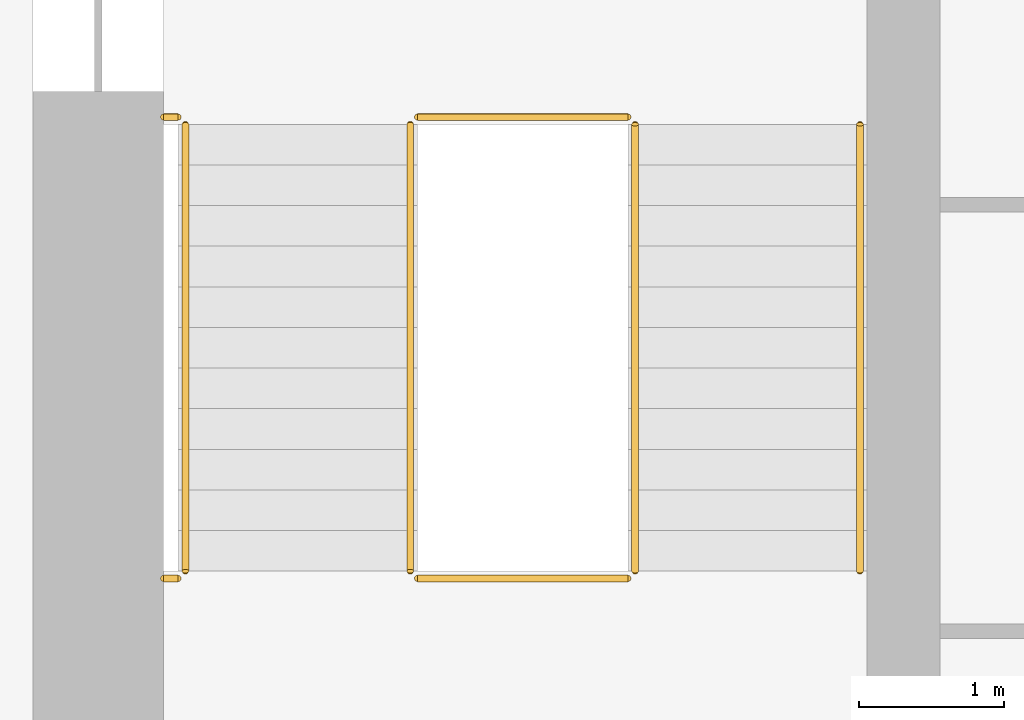
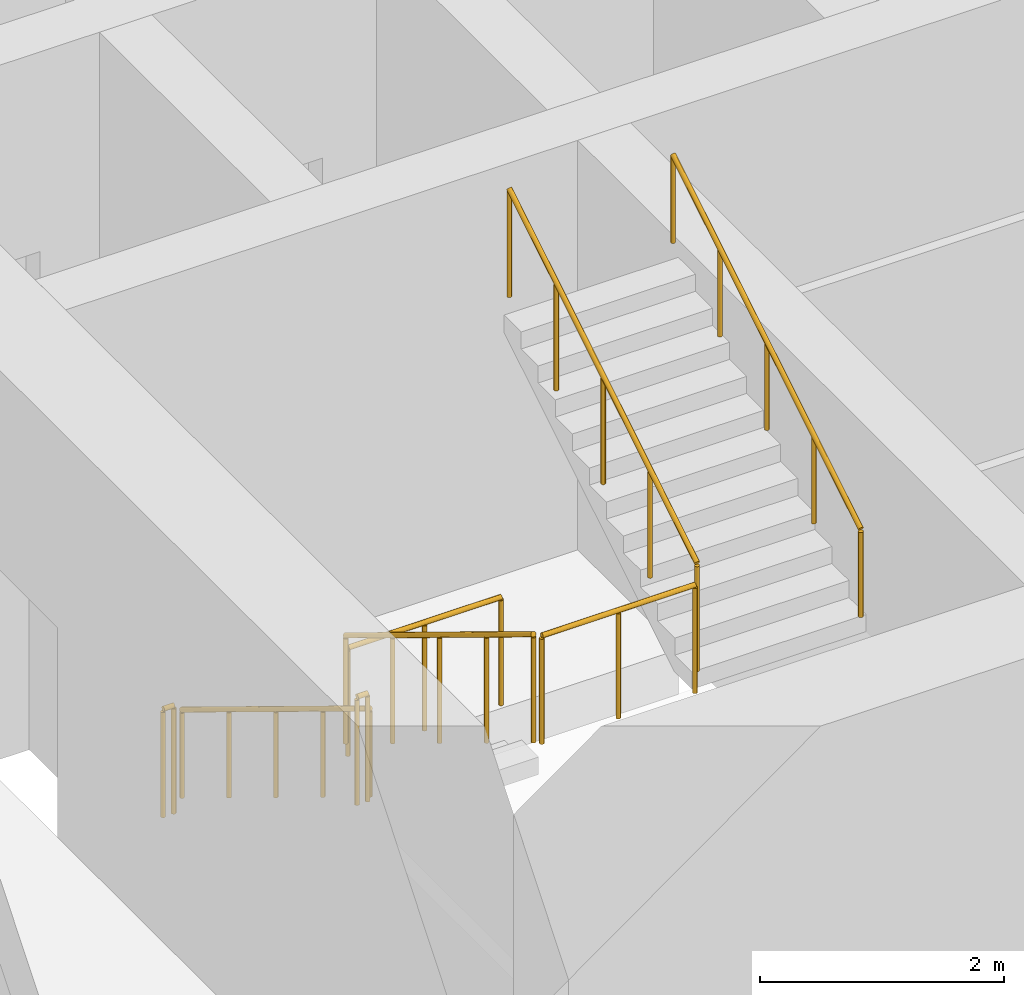
# One storey, part 11 of 19: 8 railings.
"""IFC4 building model written with IfcOpenShell, lengths in metres."""

import ifcopenshell
import ifcopenshell.guid

model = None  # the IFC model being written
_history = None  # IfcOwnerHistory: only IFC2X3 demands one
_inside = {}  # id of a spatial element -> (the spatial element, [elements in it])
_under = {}  # id of a project, library or spatial element -> (it, [spatial elements below it])
_declared = {}  # id of a project -> (the project, [libraries it declares])
_typed = {}  # id of a type object -> (the type object, [elements of that type])
_made_of = {}  # id of a material, layer set ... -> (it, [elements and type objects made of it])


def new_model(schema):
    """Start an empty IFC model of exactly this schema.

    Asked for "IFC4X3", IfcOpenShell would pick the latest addendum, in which some entities
    have other attributes; the version numbers below select the first issue.
    IFC2X3 requires an IfcOwnerHistory on every rooted entity: one is made here for all.
    """
    global model, _history
    if schema == "IFC4X3":
        model = ifcopenshell.file(schema_version=(4, 3, 0, 0))
    else:
        model = ifcopenshell.file(schema=schema)
    _inside.clear()
    _under.clear()
    _declared.clear()
    _typed.clear()
    _made_of.clear()
    _history = None
    if model.schema == "IFC2X3":
        org = make("IfcOrganization", Name="unknown")
        user = make(
            "IfcPersonAndOrganization",
            ThePerson=make("IfcPerson", FamilyName="unknown"),
            TheOrganization=org,
        )
        app = make(
            "IfcApplication",
            ApplicationDeveloper=org,
            Version="unknown",
            ApplicationFullName="unknown",
            ApplicationIdentifier="unknown",
        )
        _history = make(
            "IfcOwnerHistory",
            OwningUser=user,
            OwningApplication=app,
            ChangeAction="ADDED",
            CreationDate=0,
        )
    return model


def make(cls, **values):
    """One entity of the class cls with the attributes given. An attribute that is None is left unset."""
    return model.create_entity(
        cls, **{name: value for name, value in values.items() if value is not None}
    )


def rooted(cls, **values):
    """An entity with a GlobalId (a new one), such as an element, a storey or a relation."""
    return make(cls, GlobalId=ifcopenshell.guid.new(), OwnerHistory=_history, **values)


def si_unit(unit_type, name, prefix=None):
    """IfcSIUnit, for example si_unit("LENGTHUNIT", "METRE", prefix="MILLI")."""
    return make("IfcSIUnit", UnitType=unit_type, Prefix=prefix, Name=name)


def assignment(units):
    """IfcUnitAssignment: the units of a project."""
    return None if units is None else make("IfcUnitAssignment", Units=units)


def point(xyz):
    """IfcCartesianPoint."""
    return None if xyz is None else make("IfcCartesianPoint", Coordinates=xyz)


def direction(xyz):
    """IfcDirection."""
    return None if xyz is None else make("IfcDirection", DirectionRatios=xyz)


def frame(location, z_axis=None, x_axis=None):
    """IfcAxis2Placement3D, a coordinate frame: its origin and axes. An axis left out is left unset."""
    return make(
        "IfcAxis2Placement3D",
        Location=point(location),
        Axis=direction(z_axis),
        RefDirection=direction(x_axis),
    )


def frame_2d(location, x_axis=None):
    """IfcAxis2Placement2D, a coordinate frame in the plane: its origin and x axis."""
    return make(
        "IfcAxis2Placement2D", Location=point(location), RefDirection=direction(x_axis)
    )


def origin():
    """The frame at (0, 0, 0) with its axes left unset."""
    return frame((0.0, 0.0, 0.0))


def origin_2d():
    """The frame at (0, 0) in the plane with its x axis left unset."""
    return frame_2d((0.0, 0.0))


def place(relative_to, where):
    """IfcLocalPlacement: puts the frame where relative to a parent placement (None: the world)."""
    return make(
        "IfcLocalPlacement", PlacementRelTo=relative_to, RelativePlacement=where
    )


def context(
    kind, dimensions, precision=None, world=None, true_north=None, identifier=None
):
    """IfcGeometricRepresentationContext, for example the 3D "Model" context."""
    return make(
        "IfcGeometricRepresentationContext",
        ContextIdentifier=identifier,
        ContextType=kind,
        CoordinateSpaceDimension=dimensions,
        Precision=precision,
        WorldCoordinateSystem=world,
        TrueNorth=true_north,
    )


def subcontext(parent, identifier, kind, view, scale=None):
    """IfcGeometricRepresentationSubContext, for example "Body" below "Model"."""
    return make(
        "IfcGeometricRepresentationSubContext",
        ContextIdentifier=identifier,
        ContextType=kind,
        ParentContext=parent,
        TargetScale=scale,
        TargetView=view,
    )


def project(units=None, contexts=None):
    """IfcProject with its units and contexts."""
    return rooted(
        "IfcProject",
        Name="project",
        RepresentationContexts=contexts,
        UnitsInContext=assignment(units),
    )


def spatial(cls, under=None, at=None, **own):
    """A site, building, storey or space (cls), placed at a placement, below another one or the project."""
    s = rooted(cls, ObjectPlacement=at, **own)
    if under is not None:
        _under.setdefault(under.id(), (under, []))[1].append(s)
    return s


def profile(cls, at=None, kind="AREA", **sizes):
    """A parametric profile (cls). Its sizes go by their IFC names, for example OverallWidth=200.0."""
    return make(cls, ProfileType=kind, Position=at, **sizes)


def circle(**sizes):
    """IfcCircleProfileDef."""
    return profile("IfcCircleProfileDef", **sizes)


def extrude(swept, where, along, depth):
    """IfcExtrudedAreaSolid: the profile swept, set in the frame where, extruded along a direction by depth."""
    return make(
        "IfcExtrudedAreaSolid",
        SweptArea=swept,
        Position=where,
        ExtrudedDirection=direction(along),
        Depth=depth,
    )


def shape(context_of_items, identifier, shape_type, items):
    """IfcShapeRepresentation: the items that make up one representation, for example the "Body"."""
    return make(
        "IfcShapeRepresentation",
        ContextOfItems=context_of_items,
        RepresentationIdentifier=identifier,
        RepresentationType=shape_type,
        Items=items,
    )


def material(Name=None, Category=None):
    """IfcMaterial."""
    return make("IfcMaterial", Name=Name, Category=Category)


def made_of(thing, what):
    """Note that an element or type object is made of a material, layer set ...; save() writes the relation."""
    if what is not None:
        _made_of.setdefault(what.id(), (what, []))[1].append(thing)
    return thing


def type_object(cls, material=None, **own):
    """A type object (cls), such as IfcWallType, which elements share."""
    return made_of(rooted(cls, **own), material)


def element(
    cls,
    number,
    at=None,
    inside=None,
    cuts=None,
    type_object=None,
    material=None,
    context=None,
    identifier="Body",
    shape_type=None,
    held_by="IfcProductDefinitionShape",
    body=None,
    shapes=None,
    **own,
):
    """One element of the class cls, such as IfcWall. Its Tag is "e" and its number.

    at: its placement. inside: the storey or other place that contains it. cuts: it is an
    opening in that element (IfcRelVoidsElement). A single representation is given by context,
    identifier, shape_type and body (its items); several are given by shapes. held_by: the class
    of the entity that holds the representations. save() writes the other relations.
    """
    e = rooted(cls, Tag="e%d" % number, ObjectPlacement=at, **own)
    if body is not None:
        shapes = [shape(context, identifier, shape_type, body)]
    if shapes is not None:
        e.Representation = make(held_by, Representations=shapes)
    if inside is not None:
        _inside.setdefault(inside.id(), (inside, []))[1].append(e)
    if cuts is not None:
        rooted(
            "IfcRelVoidsElement", RelatingBuildingElement=cuts, RelatedOpeningElement=e
        )
    if type_object is not None:
        _typed.setdefault(type_object.id(), (type_object, []))[1].append(e)
    return made_of(e, material)


def aggregate(whole, parts):
    """IfcRelAggregates: a whole, such as a stair, and the parts it consists of."""
    return rooted("IfcRelAggregates", RelatingObject=whole, RelatedObjects=parts)


def save(model, path):
    """Write the relations noted so far, then the file.

    IfcRelAggregates (storeys below a building ...), IfcRelContainedInSpatialStructure (elements
    in a storey), IfcRelDefinesByType, IfcRelAssociatesMaterial and IfcRelDeclares: one each for
    every whole, place, type object, material and project.
    """
    for whole, parts in _under.values():
        aggregate(whole, parts)
    for where, things in _inside.values():
        rooted(
            "IfcRelContainedInSpatialStructure",
            RelatedElements=things,
            RelatingStructure=where,
        )
    for kind, things in _typed.values():
        rooted("IfcRelDefinesByType", RelatedObjects=things, RelatingType=kind)
    for what, things in _made_of.values():
        rooted("IfcRelAssociatesMaterial", RelatedObjects=things, RelatingMaterial=what)
    for by, libraries in _declared.values():
        rooted("IfcRelDeclares", RelatingContext=by, RelatedDefinitions=libraries)
    model.write(path)


model = new_model("IFC4")

# Units and contexts
model_context = context("Model", 3, precision=1e-05, world=origin(), true_north=direction((0.0, 1.0)))
body_context = subcontext(model_context, "Body", "Model", "MODEL_VIEW")
ifc_project = project(units=[si_unit("LENGTHUNIT", "METRE"), si_unit("AREAUNIT", "SQUARE_METRE"), si_unit("VOLUMEUNIT", "CUBIC_METRE"), si_unit("PLANEANGLEUNIT", "RADIAN"), si_unit("MASSUNIT", "GRAM", prefix="KILO")], contexts=[model_context])

# Site, building, storey
site_placement = place(None, origin())
site = spatial("IfcSite", under=ifc_project, at=site_placement, CompositionType="ELEMENT")
building_placement = place(site_placement, origin())
building = spatial("IfcBuilding", under=site, at=building_placement, Name="Corbel Stack Research Tower", CompositionType="ELEMENT")
storey_placement = place(building_placement, frame((0.0, 0.0, 116.699951171875)))
storey = spatial("IfcBuildingStorey", under=building, at=storey_placement, Name="L26", CompositionType="ELEMENT", Elevation=116.699951171875)

# Railings
ifc_material_1 = material(Name="Steel S355", Category="steel")
railing_type_1 = type_object("IfcRailingType", Name="Stair guard 1100", PredefinedType="GUARDRAIL", material=ifc_material_1)
railing_1_placement = place(storey_placement, frame((-7.89990234375, -2.39990234375, 0.1708984375)))
element("IfcRailing", 1, at=railing_1_placement, inside=storey, type_object=railing_type_1, Name="L26 ST-W1 stair guard 1", PredefinedType="GUARDRAIL", context=body_context, shape_type="SweptSolid", body=[
    extrude(circle(Radius=0.02392578125, at=origin_2d()), frame((0.0, 0.0, 1.076171875), z_axis=(0.0, -0.853666305674, 0.52082035152), x_axis=(1.0, 0.0, 0.0)), (0.0, 0.0, 1.0), 3.608154296875),
    extrude(circle(Radius=0.02099609375, at=origin_2d()), origin(), (0.0, 0.0, 1.0), 1.052001953125),
    extrude(circle(Radius=0.02099609375, at=origin_2d()), frame((0.0, -0.77001953125, 0.4697265625)), (0.0, 0.0, 1.0), 1.052001953125),
    extrude(circle(Radius=0.02099609375, at=origin_2d()), frame((0.0, -1.5400390625, 0.939453125)), (0.0, 0.0, 1.0), 1.052001953125),
    extrude(circle(Radius=0.02099609375, at=origin_2d()), frame((0.0, -2.31005859375, 1.409423828125)), (0.0, 0.0, 1.0), 1.052001953125),
    extrude(circle(Radius=0.02099609375, at=origin_2d()), frame((0.0, -3.080078125, 1.879150390625)), (0.0, 0.0, 1.0), 1.052001953125),
])
railing_2_placement = place(storey_placement, frame((-7.85009765625, -5.530029296875, 2.050048828125)))
element("IfcRailing", 2, at=railing_2_placement, inside=storey, type_object=railing_type_1, Name="L26 ST-W1 stair guard 2", PredefinedType="GUARDRAIL", context=body_context, shape_type="SweptSolid", body=[
    extrude(circle(Radius=0.02392578125, at=origin_2d()), frame((0.0, 0.0, 1.076171875), z_axis=(1.0, 0.0, 0.0), x_axis=(0.0, 1.0, 0.0)), (0.0, 0.0, 1.0), 1.4501953125),
    extrude(circle(Radius=0.02099609375, at=origin_2d()), origin(), (0.0, 0.0, 1.0), 1.052001953125),
    extrude(circle(Radius=0.02099609375, at=origin_2d()), frame((0.72509765625, 0.0, 0.0)), (0.0, 0.0, 1.0), 1.052001953125),
    extrude(circle(Radius=0.02099609375, at=origin_2d()), frame((1.4501953125, 0.0, 0.0)), (0.0, 0.0, 1.0), 1.052001953125),
])
railing_3_placement = place(storey_placement, frame((-9.60009765625, -5.530029296875, 2.050048828125)))
element("IfcRailing", 3, at=railing_3_placement, inside=storey, type_object=railing_type_1, Name="L26 ST-W1 stair guard 3", PredefinedType="GUARDRAIL", context=body_context, shape_type="SweptSolid", body=[
    extrude(circle(Radius=0.02392578125, at=origin_2d()), frame((0.0, 0.0, 1.076171875), z_axis=(1.0, 0.0, 0.0), x_axis=(0.0, 1.0, 0.0)), (0.0, 0.0, 1.0), 0.10009765625),
    extrude(circle(Radius=0.02099609375, at=origin_2d()), origin(), (0.0, 0.0, 1.0), 1.052001953125),
    extrude(circle(Radius=0.02099609375, at=origin_2d()), frame((0.10009765625, 0.0, 0.0)), (0.0, 0.0, 1.0), 1.052001953125),
])
railing_4_placement = place(storey_placement, frame((-6.35009765625, -5.47998046875, 2.220947265625)))
element("IfcRailing", 4, at=railing_4_placement, inside=storey, type_object=railing_type_1, Name="L26 ST-W1 stair guard 4", PredefinedType="GUARDRAIL", context=body_context, shape_type="SweptSolid", body=[
    extrude(circle(Radius=0.02392578125, at=origin_2d()), frame((0.0, 0.0, 1.076171875), z_axis=(0.0, 0.853666305674, 0.52082035152), x_axis=(-1.0, 0.0, 0.0)), (0.0, 0.0, 1.0), 3.608154296875),
    extrude(circle(Radius=0.02099609375, at=origin_2d()), origin(), (0.0, 0.0, 1.0), 1.052001953125),
    extrude(circle(Radius=0.02099609375, at=origin_2d()), frame((0.0, 0.77001953125, 0.4697265625)), (0.0, 0.0, 1.0), 1.052001953125),
    extrude(circle(Radius=0.02099609375, at=origin_2d()), frame((0.0, 1.5400390625, 0.939453125)), (0.0, 0.0, 1.0), 1.052001953125),
    extrude(circle(Radius=0.02099609375, at=origin_2d()), frame((0.0, 2.31005859375, 1.409423828125)), (0.0, 0.0, 1.0), 1.052001953125),
    extrude(circle(Radius=0.02099609375, at=origin_2d()), frame((0.0, 3.080078125, 1.879150390625)), (0.0, 0.0, 1.0), 1.052001953125),
])
railing_5_placement = place(storey_placement, frame((-7.85009765625, -2.35009765625, 0.0)))
element("IfcRailing", 5, at=railing_5_placement, inside=storey, type_object=railing_type_1, Name="L26 ST-W1 stair guard 5", PredefinedType="GUARDRAIL", context=body_context, shape_type="SweptSolid", body=[
    extrude(circle(Radius=0.02392578125, at=origin_2d()), frame((0.0, 0.0, 1.076171875), z_axis=(1.0, 0.0, 0.0), x_axis=(0.0, 1.0, 0.0)), (0.0, 0.0, 1.0), 1.4501953125),
    extrude(circle(Radius=0.02099609375, at=origin_2d()), origin(), (0.0, 0.0, 1.0), 1.052001953125),
    extrude(circle(Radius=0.02099609375, at=origin_2d()), frame((0.72509765625, 0.0, 0.0)), (0.0, 0.0, 1.0), 1.052001953125),
    extrude(circle(Radius=0.02099609375, at=origin_2d()), frame((1.4501953125, 0.0, 0.0)), (0.0, 0.0, 1.0), 1.052001953125),
])
railing_6_placement = place(storey_placement, frame((-9.60009765625, -2.35009765625, 0.0)))
element("IfcRailing", 6, at=railing_6_placement, inside=storey, type_object=railing_type_1, Name="L26 ST-W1 stair guard 6", PredefinedType="GUARDRAIL", context=body_context, shape_type="SweptSolid", body=[
    extrude(circle(Radius=0.02392578125, at=origin_2d()), frame((0.0, 0.0, 1.076171875), z_axis=(1.0, 0.0, 0.0), x_axis=(0.0, 1.0, 0.0)), (0.0, 0.0, 1.0), 0.10009765625),
    extrude(circle(Radius=0.02099609375, at=origin_2d()), origin(), (0.0, 0.0, 1.0), 1.052001953125),
    extrude(circle(Radius=0.02099609375, at=origin_2d()), frame((0.10009765625, 0.0, 0.0)), (0.0, 0.0, 1.0), 1.052001953125),
])
ifc_material_2 = material(Name="Steel S355", Category="steel")
railing_type_2 = type_object("IfcRailingType", Name="Stair handrail 900", PredefinedType="HANDRAIL", material=ifc_material_2)
railing_7_placement = place(storey_placement, frame((-9.449951171875, -2.39990234375, 0.1708984375)))
element("IfcRailing", 7, at=railing_7_placement, inside=storey, type_object=railing_type_2, Name="L26 ST-W1 stair handrail 1", PredefinedType="HANDRAIL", context=body_context, shape_type="SweptSolid", body=[
    extrude(circle(Radius=0.02392578125, at=origin_2d()), frame((0.0, 0.0, 0.8759765625), z_axis=(0.0, -0.853666305674, 0.52082035152), x_axis=(1.0, 0.0, 0.0)), (0.0, 0.0, 1.0), 3.608154296875),
    extrude(circle(Radius=0.02099609375, at=origin_2d()), origin(), (0.0, 0.0, 1.0), 0.851806640625),
    extrude(circle(Radius=0.02099609375, at=origin_2d()), frame((0.0, -0.77001953125, 0.4697265625)), (0.0, 0.0, 1.0), 0.851806640625),
    extrude(circle(Radius=0.02099609375, at=origin_2d()), frame((0.0, -1.5400390625, 0.939453125)), (0.0, 0.0, 1.0), 0.851806640625),
    extrude(circle(Radius=0.02099609375, at=origin_2d()), frame((0.0, -2.31005859375, 1.409423828125)), (0.0, 0.0, 1.0), 0.851806640625),
    extrude(circle(Radius=0.02099609375, at=origin_2d()), frame((0.0, -3.080078125, 1.879150390625)), (0.0, 0.0, 1.0), 0.851806640625),
])
railing_8_placement = place(storey_placement, frame((-4.800048828125, -5.47998046875, 2.220947265625)))
element("IfcRailing", 8, at=railing_8_placement, inside=storey, type_object=railing_type_2, Name="L26 ST-W1 stair handrail 2", PredefinedType="HANDRAIL", context=body_context, shape_type="SweptSolid", body=[
    extrude(circle(Radius=0.02392578125, at=origin_2d()), frame((0.0, 0.0, 0.8759765625), z_axis=(0.0, 0.853666305674, 0.52082035152), x_axis=(-1.0, 0.0, 0.0)), (0.0, 0.0, 1.0), 3.608154296875),
    extrude(circle(Radius=0.02099609375, at=origin_2d()), origin(), (0.0, 0.0, 1.0), 0.851806640625),
    extrude(circle(Radius=0.02099609375, at=origin_2d()), frame((0.0, 0.77001953125, 0.4697265625)), (0.0, 0.0, 1.0), 0.851806640625),
    extrude(circle(Radius=0.02099609375, at=origin_2d()), frame((0.0, 1.5400390625, 0.939453125)), (0.0, 0.0, 1.0), 0.851806640625),
    extrude(circle(Radius=0.02099609375, at=origin_2d()), frame((0.0, 2.31005859375, 1.409423828125)), (0.0, 0.0, 1.0), 0.851806640625),
    extrude(circle(Radius=0.02099609375, at=origin_2d()), frame((0.0, 3.080078125, 1.879150390625)), (0.0, 0.0, 1.0), 0.851806640625),
])

save(model, "model.ifc")
